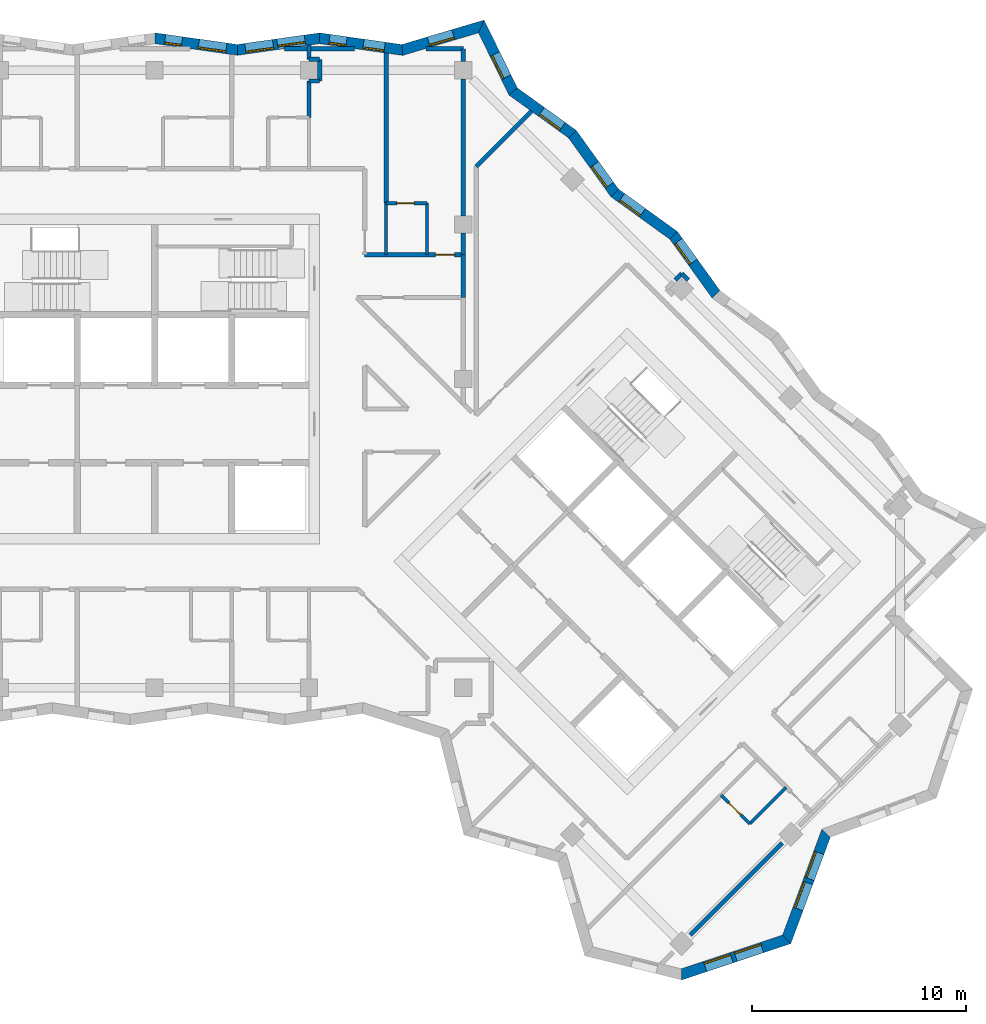
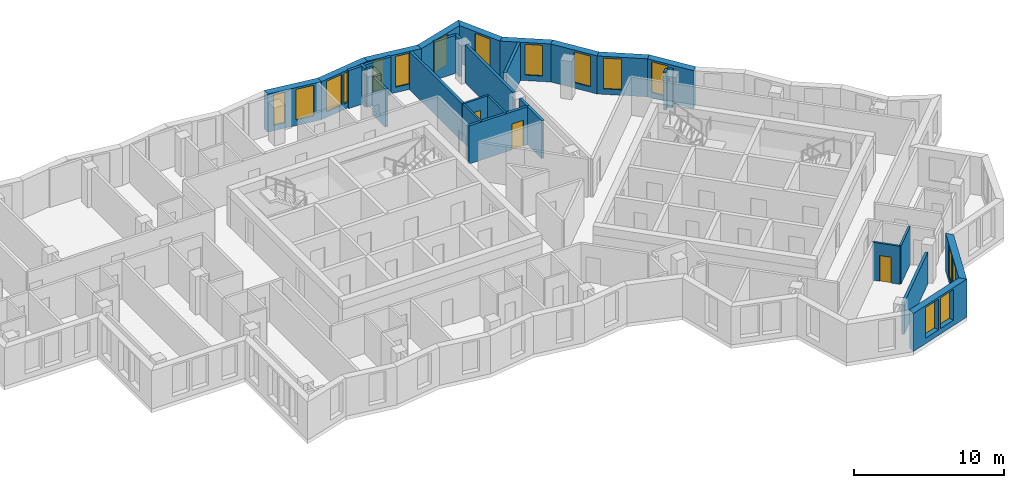
# One storey, part 8 of 13: 33 walls, 16 windows, 3 doors, 19 openings.
"""IFC4 building model written with IfcOpenShell, lengths in metres."""

from ifc_helpers import new_model, si_unit, direction, frame, frame_2d, origin, place, context, subcontext, project, spatial, polyline, rectangle, outline, extrude, material, layer, layer_set, type_object, element, fill, save


model = new_model("IFC4")

# Units and contexts
model_context = context("Model", 3, precision=1e-05, world=origin(), true_north=direction((0.0, 1.0)))
body_context = subcontext(model_context, "Body", "Model", "MODEL_VIEW")
ifc_project = project(units=[si_unit("LENGTHUNIT", "METRE"), si_unit("AREAUNIT", "SQUARE_METRE"), si_unit("VOLUMEUNIT", "CUBIC_METRE"), si_unit("PLANEANGLEUNIT", "RADIAN"), si_unit("MASSUNIT", "GRAM", prefix="KILO")], contexts=[model_context])

# Site, building, storey
site_placement = place(None, origin())
site = spatial("IfcSite", under=ifc_project, at=site_placement, CompositionType="ELEMENT")
building_placement = place(site_placement, origin())
building = spatial("IfcBuilding", under=site, at=building_placement, Name="Windrow Commons", CompositionType="ELEMENT")
storey_placement = place(building_placement, frame((0.0, 0.0, 216.8)))
storey = spatial("IfcBuildingStorey", under=building, at=storey_placement, Name="L59", CompositionType="ELEMENT", Elevation=216.8)

# Wall, openings, windows
ifc_material_1 = material(Name="Brick masonry, red clay brick", Category="masonry")
ifc_layer_1 = layer(ifc_material_1, 0.5)
ifc_layer_set_1 = layer_set([ifc_layer_1], Name="Brick facade wall 500")
wall_type_1 = type_object("IfcWallType", Name="Brick facade wall 500", PredefinedType="SOLIDWALL", material=ifc_layer_set_1)
wall_1_placement = place(storey_placement, frame((89.3722, 29.8337, 0.0), z_axis=(0.0, 0.0, 1.0), x_axis=(0.9486832981, 0.316227766, 0.0)))
wall_1 = element("IfcWall", 1, at=wall_1_placement, inside=storey, type_object=wall_type_1, Name="Brick facade wall L59 1", PredefinedType="SOLIDWALL", context=body_context, shape_type="SweptSolid", body=[
    extrude(outline(polyline([(-0.0726, -0.25), (5.2939, -0.25), (5.0544, 0.25), (0.0726, 0.25), (-0.0726, -0.25)])), origin(), (0.0, 0.0, 1.0), 3.1),
])
opening_1_placement = place(wall_1_placement, frame((1.1592, 0.0, 0.45)))
opening_1 = element("IfcOpeningElement", 2, at=opening_1_placement, cuts=wall_1, Name="Opening W1Q", PredefinedType="OPENING", context=body_context, shape_type="SweptSolid", body=[
    extrude(rectangle(XDim=1.3, YDim=2.5, at=frame_2d((0.65, 1.25))), frame((0.0, 0.26, 0.0), z_axis=(0.0, -1.0, 0.0), x_axis=(1.0, 0.0, 0.0)), (0.0, 0.0, 1.0), 0.52),
])
opening_2_placement = place(wall_1_placement, frame((2.6592, 0.0, 0.45)))
opening_2 = element("IfcOpeningElement", 3, at=opening_2_placement, cuts=wall_1, Name="Opening W1Q", PredefinedType="OPENING", context=body_context, shape_type="SweptSolid", body=[
    extrude(rectangle(XDim=1.3, YDim=2.5, at=frame_2d((0.65, 1.25))), frame((0.0, 0.26, 0.0), z_axis=(0.0, -1.0, 0.0), x_axis=(1.0, 0.0, 0.0)), (0.0, 0.0, 1.0), 0.52),
])
ifc_material_2 = material(Name="Clear float glass in anodised aluminium frame", Category="aluminium")
window_type_1 = type_object("IfcWindowType", Name="Window W1Q pair 1300x2500", PartitioningType="SINGLE_PANEL", PredefinedType="WINDOW", material=ifc_material_2)
window_1_placement = place(opening_1_placement, origin())
window_1 = element("IfcWindow", 4, at=window_1_placement, inside=storey, type_object=window_type_1, Name="Window L59 1.1A", OverallHeight=2.5, OverallWidth=1.3, PartitioningType="SINGLE_PANEL", PredefinedType="WINDOW", context=body_context, shape_type="SweptSolid", body=[
    extrude(rectangle(XDim=1.3, YDim=2.5, at=frame_2d((0.65, 1.25))), frame((0.0, 0.18, 0.0), z_axis=(0.0, -1.0, 0.0), x_axis=(1.0, 0.0, 0.0)), (0.0, 0.0, 1.0), 0.06),
])
fill(opening_1, window_1)
window_2_placement = place(opening_2_placement, origin())
window_2 = element("IfcWindow", 5, at=window_2_placement, inside=storey, type_object=window_type_1, Name="Window L59 1.1B", OverallHeight=2.5, OverallWidth=1.3, PartitioningType="SINGLE_PANEL", PredefinedType="WINDOW", context=body_context, shape_type="SweptSolid", body=[
    extrude(rectangle(XDim=1.3, YDim=2.5, at=frame_2d((0.65, 1.25))), frame((0.0, 0.18, 0.0), z_axis=(0.0, -1.0, 0.0), x_axis=(1.0, 0.0, 0.0)), (0.0, 0.0, 1.0), 0.06),
])
fill(opening_2, window_2)

wall_2_placement = place(storey_placement, frame((94.2808, 31.4699, 0.0), z_axis=(0.0, 0.0, 1.0), x_axis=(0.3481903374, 0.9374238577, 0.0)))
wall_2 = element("IfcWall", 6, at=wall_2_placement, inside=storey, type_object=wall_type_1, Name="Brick facade wall L59 2", PredefinedType="SOLIDWALL", context=body_context, shape_type="SweptSolid", body=[
    extrude(outline(polyline([(-0.1197, -0.25), (5.1604, -0.25), (5.3896, 0.25), (0.1197, 0.25), (-0.1197, -0.25)])), origin(), (0.0, 0.0, 1.0), 3.1),
])
opening_3_placement = place(wall_2_placement, frame((1.5123, 0.0, 0.45)))
opening_3 = element("IfcOpeningElement", 7, at=opening_3_placement, cuts=wall_2, Name="Opening W1Q", PredefinedType="OPENING", context=body_context, shape_type="SweptSolid", body=[
    extrude(rectangle(XDim=1.3, YDim=2.5, at=frame_2d((0.65, 1.25))), frame((0.0, 0.26, 0.0), z_axis=(0.0, -1.0, 0.0), x_axis=(1.0, 0.0, 0.0)), (0.0, 0.0, 1.0), 0.52),
])
opening_4_placement = place(wall_2_placement, frame((3.0123, 0.0, 0.45)))
opening_4 = element("IfcOpeningElement", 8, at=opening_4_placement, cuts=wall_2, Name="Opening W1Q", PredefinedType="OPENING", context=body_context, shape_type="SweptSolid", body=[
    extrude(rectangle(XDim=1.3, YDim=2.5, at=frame_2d((0.65, 1.25))), frame((0.0, 0.26, 0.0), z_axis=(0.0, -1.0, 0.0), x_axis=(1.0, 0.0, 0.0)), (0.0, 0.0, 1.0), 0.52),
])
window_3_placement = place(opening_3_placement, origin())
window_3 = element("IfcWindow", 9, at=window_3_placement, inside=storey, type_object=window_type_1, Name="Window L59 2.1A", OverallHeight=2.5, OverallWidth=1.3, PartitioningType="SINGLE_PANEL", PredefinedType="WINDOW", context=body_context, shape_type="SweptSolid", body=[
    extrude(rectangle(XDim=1.3, YDim=2.5, at=frame_2d((0.65, 1.25))), frame((0.0, 0.18, 0.0), z_axis=(0.0, -1.0, 0.0), x_axis=(1.0, 0.0, 0.0)), (0.0, 0.0, 1.0), 0.06),
])
fill(opening_3, window_3)
window_4_placement = place(opening_4_placement, origin())
window_4 = element("IfcWindow", 10, at=window_4_placement, inside=storey, type_object=window_type_1, Name="Window L59 2.1B", OverallHeight=2.5, OverallWidth=1.3, PartitioningType="SINGLE_PANEL", PredefinedType="WINDOW", context=body_context, shape_type="SweptSolid", body=[
    extrude(rectangle(XDim=1.3, YDim=2.5, at=frame_2d((0.65, 1.25))), frame((0.0, 0.18, 0.0), z_axis=(0.0, -1.0, 0.0), x_axis=(1.0, 0.0, 0.0)), (0.0, 0.0, 1.0), 0.06),
])
fill(opening_4, window_4)

# Wall, opening, window
wall_3_placement = place(storey_placement, frame((90.9816, 61.5573, 0.0), z_axis=(0.0, 0.0, 1.0), x_axis=(-0.5845992306, 0.8113222169, 0.0)))
wall_3 = element("IfcWall", 11, at=wall_3_placement, inside=storey, type_object=wall_type_1, Name="Brick facade wall L59 12", PredefinedType="SOLIDWALL", context=body_context, shape_type="SweptSolid", body=[
    extrude(outline(polyline([(0.0406, -0.25), (3.4213, -0.25), (3.3401, 0.25), (-0.0406, 0.25), (0.0406, -0.25)])), origin(), (0.0, 0.0, 1.0), 3.1),
])
opening_5_placement = place(wall_3_placement, frame((1.8362, 0.0, 0.45)))
opening_5 = element("IfcOpeningElement", 12, at=opening_5_placement, cuts=wall_3, Name="Opening W7E", PredefinedType="OPENING", context=body_context, shape_type="SweptSolid", body=[
    extrude(rectangle(XDim=1.2, YDim=2.5, at=frame_2d((0.6, 1.25))), frame((0.0, 0.26, 0.0), z_axis=(0.0, -1.0, 0.0), x_axis=(1.0, 0.0, 0.0)), (0.0, 0.0, 1.0), 0.52),
])
ifc_material_3 = material(Name="Clear float glass in anodised aluminium frame", Category="aluminium")
window_type_2 = type_object("IfcWindowType", Name="Window W7 notch 1200x2500", PartitioningType="SINGLE_PANEL", PredefinedType="WINDOW", material=ifc_material_3)
window_5_placement = place(opening_5_placement, origin())
window_5 = element("IfcWindow", 13, at=window_5_placement, inside=storey, type_object=window_type_2, Name="Window L59 12.1", OverallHeight=2.5, OverallWidth=1.2, PartitioningType="SINGLE_PANEL", PredefinedType="WINDOW", context=body_context, shape_type="SweptSolid", body=[
    extrude(rectangle(XDim=1.2, YDim=2.5, at=frame_2d((0.6, 1.25))), frame((0.0, 0.18, 0.0), z_axis=(0.0, -1.0, 0.0), x_axis=(1.0, 0.0, 0.0)), (0.0, 0.0, 1.0), 0.06),
])
fill(opening_5, window_5)

wall_4_placement = place(storey_placement, frame((89.0052, 64.3002, 0.0), z_axis=(0.0, 0.0, 1.0), x_axis=(-0.8113261375, 0.5845937894, 0.0)))
wall_4 = element("IfcWall", 14, at=wall_4_placement, inside=storey, type_object=wall_type_1, Name="Brick facade wall L59 13", PredefinedType="SOLIDWALL", context=body_context, shape_type="SweptSolid", body=[
    extrude(outline(polyline([(-0.0406, -0.25), (3.3401, -0.25), (3.4213, 0.25), (0.0406, 0.25), (-0.0406, -0.25)])), origin(), (0.0, 0.0, 1.0), 3.1),
])
opening_6_placement = place(wall_4_placement, frame((1.7897, 0.0, 0.45)))
opening_6 = element("IfcOpeningElement", 15, at=opening_6_placement, cuts=wall_4, Name="Opening W7E", PredefinedType="OPENING", context=body_context, shape_type="SweptSolid", body=[
    extrude(rectangle(XDim=1.2, YDim=2.5, at=frame_2d((0.6, 1.25))), frame((0.0, 0.26, 0.0), z_axis=(0.0, -1.0, 0.0), x_axis=(1.0, 0.0, 0.0)), (0.0, 0.0, 1.0), 0.52),
])
window_6_placement = place(opening_6_placement, origin())
window_6 = element("IfcWindow", 16, at=window_6_placement, inside=storey, type_object=window_type_2, Name="Window L59 13.1", OverallHeight=2.5, OverallWidth=1.2, PartitioningType="SINGLE_PANEL", PredefinedType="WINDOW", context=body_context, shape_type="SweptSolid", body=[
    extrude(rectangle(XDim=1.2, YDim=2.5, at=frame_2d((0.6, 1.25))), frame((0.0, 0.18, 0.0), z_axis=(0.0, -1.0, 0.0), x_axis=(1.0, 0.0, 0.0)), (0.0, 0.0, 1.0), 0.06),
])
fill(opening_6, window_6)

wall_5_placement = place(storey_placement, frame((86.2624, 66.2765, 0.0), z_axis=(0.0, 0.0, 1.0), x_axis=(-0.5845992306, 0.8113222169, 0.0)))
wall_5 = element("IfcWall", 17, at=wall_5_placement, inside=storey, type_object=wall_type_1, Name="Brick facade wall L59 14", PredefinedType="SOLIDWALL", context=body_context, shape_type="SweptSolid", body=[
    extrude(outline(polyline([(0.0406, -0.25), (3.4213, -0.25), (3.3401, 0.25), (-0.0406, 0.25), (0.0406, -0.25)])), origin(), (0.0, 0.0, 1.0), 3.1),
])
opening_7_placement = place(wall_5_placement, frame((0.4325, 0.0, 0.45)))
opening_7 = element("IfcOpeningElement", 18, at=opening_7_placement, cuts=wall_5, Name="Opening W7E", PredefinedType="OPENING", context=body_context, shape_type="SweptSolid", body=[
    extrude(rectangle(XDim=1.2, YDim=2.5, at=frame_2d((0.6, 1.25))), frame((0.0, 0.26, 0.0), z_axis=(0.0, -1.0, 0.0), x_axis=(1.0, 0.0, 0.0)), (0.0, 0.0, 1.0), 0.52),
])
window_7_placement = place(opening_7_placement, origin())
window_7 = element("IfcWindow", 19, at=window_7_placement, inside=storey, type_object=window_type_2, Name="Window L59 14.1", OverallHeight=2.5, OverallWidth=1.2, PartitioningType="SINGLE_PANEL", PredefinedType="WINDOW", context=body_context, shape_type="SweptSolid", body=[
    extrude(rectangle(XDim=1.2, YDim=2.5, at=frame_2d((0.6, 1.25))), frame((0.0, 0.18, 0.0), z_axis=(0.0, -1.0, 0.0), x_axis=(1.0, 0.0, 0.0)), (0.0, 0.0, 1.0), 0.06),
])
fill(opening_7, window_7)

wall_6_placement = place(storey_placement, frame((84.286, 69.0194, 0.0), z_axis=(0.0, 0.0, 1.0), x_axis=(-0.8113258148, 0.5845942373, 0.0)))
wall_6 = element("IfcWall", 20, at=wall_6_placement, inside=storey, type_object=wall_type_1, Name="Brick facade wall L59 15", PredefinedType="SOLIDWALL", context=body_context, shape_type="SweptSolid", body=[
    extrude(outline(polyline([(-0.0406, -0.25), (3.3401, -0.25), (3.4653, 0.25), (0.0406, 0.25), (-0.0406, -0.25)])), origin(), (0.0, 0.0, 1.0), 3.1),
])
opening_8_placement = place(wall_6_placement, frame((0.5861, 0.0, 0.45)))
opening_8 = element("IfcOpeningElement", 21, at=opening_8_placement, cuts=wall_6, Name="Opening W7E", PredefinedType="OPENING", context=body_context, shape_type="SweptSolid", body=[
    extrude(rectangle(XDim=1.2, YDim=2.5, at=frame_2d((0.6, 1.25))), frame((0.0, 0.26, 0.0), z_axis=(0.0, -1.0, 0.0), x_axis=(1.0, 0.0, 0.0)), (0.0, 0.0, 1.0), 0.52),
])
window_8_placement = place(opening_8_placement, origin())
window_8 = element("IfcWindow", 22, at=window_8_placement, inside=storey, type_object=window_type_2, Name="Window L59 15.1", OverallHeight=2.5, OverallWidth=1.2, PartitioningType="SINGLE_PANEL", PredefinedType="WINDOW", context=body_context, shape_type="SweptSolid", body=[
    extrude(rectangle(XDim=1.2, YDim=2.5, at=frame_2d((0.6, 1.25))), frame((0.0, 0.18, 0.0), z_axis=(0.0, -1.0, 0.0), x_axis=(1.0, 0.0, 0.0)), (0.0, 0.0, 1.0), 0.06),
])
fill(opening_8, window_8)

wall_7_placement = place(storey_placement, frame((81.5253, 71.0086, 0.0), z_axis=(0.0, 0.0, 1.0), x_axis=(-0.4400711052, 0.8979629293, 0.0)))
wall_7 = element("IfcWall", 23, at=wall_7_placement, inside=storey, type_object=wall_type_1, Name="Brick facade wall L59 16", PredefinedType="SOLIDWALL", context=body_context, shape_type="SweptSolid", body=[
    extrude(outline(polyline([(0.0626, -0.25), (3.5896, -0.25), (3.1666, 0.25), (-0.0626, 0.25), (0.0626, -0.25)])), origin(), (0.0, 0.0, 1.0), 3.1),
])
opening_9_placement = place(wall_7_placement, frame((0.7394, 0.0, 0.45)))
opening_9 = element("IfcOpeningElement", 24, at=opening_9_placement, cuts=wall_7, Name="Opening W7E", PredefinedType="OPENING", context=body_context, shape_type="SweptSolid", body=[
    extrude(rectangle(XDim=1.2, YDim=2.5, at=frame_2d((0.6, 1.25))), frame((0.0, 0.26, 0.0), z_axis=(0.0, -1.0, 0.0), x_axis=(1.0, 0.0, 0.0)), (0.0, 0.0, 1.0), 0.52),
])
window_9_placement = place(opening_9_placement, origin())
window_9 = element("IfcWindow", 25, at=window_9_placement, inside=storey, type_object=window_type_2, Name="Window L59 16.1", OverallHeight=2.5, OverallWidth=1.2, PartitioningType="SINGLE_PANEL", PredefinedType="WINDOW", context=body_context, shape_type="SweptSolid", body=[
    extrude(rectangle(XDim=1.2, YDim=2.5, at=frame_2d((0.6, 1.25))), frame((0.0, 0.18, 0.0), z_axis=(0.0, -1.0, 0.0), x_axis=(1.0, 0.0, 0.0)), (0.0, 0.0, 1.0), 0.06),
])
fill(opening_9, window_9)

wall_8_placement = place(storey_placement, frame((80.0387, 74.042, 0.0), z_axis=(0.0, 0.0, 1.0), x_axis=(-0.9584416684, -0.2852885702, 0.0)))
wall_8 = element("IfcWall", 26, at=wall_8_placement, inside=storey, type_object=wall_type_1, Name="Brick facade wall L59 17", PredefinedType="SOLIDWALL", context=body_context, shape_type="SweptSolid", body=[
    extrude(outline(polyline([(-0.2115, -0.25), (3.7914, -0.25), (3.9005, 0.25), (0.2115, 0.25), (-0.2115, -0.25)])), origin(), (0.0, 0.0, 1.0), 3.1),
])
opening_10_placement = place(wall_8_placement, frame((1.3605, 0.0, 0.45)))
opening_10 = element("IfcOpeningElement", 27, at=opening_10_placement, cuts=wall_8, Name="Opening W7E", PredefinedType="OPENING", context=body_context, shape_type="SweptSolid", body=[
    extrude(rectangle(XDim=1.2, YDim=2.5, at=frame_2d((0.6, 1.25))), frame((0.0, 0.26, 0.0), z_axis=(0.0, -1.0, 0.0), x_axis=(1.0, 0.0, 0.0)), (0.0, 0.0, 1.0), 0.52),
])
window_10_placement = place(opening_10_placement, origin())
window_10 = element("IfcWindow", 28, at=window_10_placement, inside=storey, type_object=window_type_2, Name="Window L59 17.1", OverallHeight=2.5, OverallWidth=1.2, PartitioningType="SINGLE_PANEL", PredefinedType="WINDOW", context=body_context, shape_type="SweptSolid", body=[
    extrude(rectangle(XDim=1.2, YDim=2.5, at=frame_2d((0.6, 1.25))), frame((0.0, 0.18, 0.0), z_axis=(0.0, -1.0, 0.0), x_axis=(1.0, 0.0, 0.0)), (0.0, 0.0, 1.0), 0.06),
])
fill(opening_10, window_10)

# Wall, openings, windows
wall_9_placement = place(storey_placement, frame((76.3526, 72.9448, 0.0), z_axis=(0.0, 0.0, 1.0), x_axis=(-0.9901676214, 0.139885959, 0.0)))
wall_9 = element("IfcWall", 29, at=wall_9_placement, inside=storey, type_object=wall_type_1, Name="Brick facade wall L59 18", PredefinedType="SOLIDWALL", context=body_context, shape_type="SweptSolid", body=[
    extrude(outline(polyline([(0.0545, -0.25), (3.9292, -0.25), (3.8586, 0.25), (-0.0545, 0.25), (0.0545, -0.25)])), origin(), (0.0, 0.0, 1.0), 3.1),
])
opening_11_placement = place(wall_9_placement, frame((0.832, 0.0, 0.45)))
opening_11 = element("IfcOpeningElement", 30, at=opening_11_placement, cuts=wall_9, Name="Opening W1S", PredefinedType="OPENING", context=body_context, shape_type="SweptSolid", body=[
    extrude(rectangle(XDim=1.0, YDim=2.5, at=frame_2d((0.5, 1.25))), frame((0.0, 0.26, 0.0), z_axis=(0.0, -1.0, 0.0), x_axis=(1.0, 0.0, 0.0)), (0.0, 0.0, 1.0), 0.52),
])
opening_12_placement = place(wall_9_placement, frame((2.629, 0.0, 0.45)))
opening_12 = element("IfcOpeningElement", 31, at=opening_12_placement, cuts=wall_9, Name="Opening W1N", PredefinedType="OPENING", context=body_context, shape_type="SweptSolid", body=[
    extrude(rectangle(XDim=0.8, YDim=2.5, at=frame_2d((0.4, 1.25))), frame((0.0, 0.26, 0.0), z_axis=(0.0, -1.0, 0.0), x_axis=(1.0, 0.0, 0.0)), (0.0, 0.0, 1.0), 0.52),
])
ifc_material_4 = material(Name="Clear float glass in anodised aluminium frame", Category="aluminium")
window_type_3 = type_object("IfcWindowType", Name="Window W1N slit 800x2500", PartitioningType="SINGLE_PANEL", PredefinedType="WINDOW", material=ifc_material_4)
window_11_placement = place(opening_12_placement, origin())
window_11 = element("IfcWindow", 32, at=window_11_placement, inside=storey, type_object=window_type_3, Name="Window L59 18.1B", OverallHeight=2.5, OverallWidth=0.8, PartitioningType="SINGLE_PANEL", PredefinedType="WINDOW", context=body_context, shape_type="SweptSolid", body=[
    extrude(rectangle(XDim=0.8, YDim=2.5, at=frame_2d((0.4, 1.25))), frame((0.0, 0.18, 0.0), z_axis=(0.0, -1.0, 0.0), x_axis=(1.0, 0.0, 0.0)), (0.0, 0.0, 1.0), 0.06),
])
fill(opening_12, window_11)
ifc_material_5 = material(Name="Clear float glass in anodised aluminium frame", Category="aluminium")
window_type_4 = type_object("IfcWindowType", Name="Window W1S slit 1000x2500", PartitioningType="SINGLE_PANEL", PredefinedType="WINDOW", material=ifc_material_5)
window_12_placement = place(opening_11_placement, origin())
window_12 = element("IfcWindow", 33, at=window_12_placement, inside=storey, type_object=window_type_4, Name="Window L59 18.1A", OverallHeight=2.5, OverallWidth=1.0, PartitioningType="SINGLE_PANEL", PredefinedType="WINDOW", context=body_context, shape_type="SweptSolid", body=[
    extrude(rectangle(XDim=1.0, YDim=2.5, at=frame_2d((0.5, 1.25))), frame((0.0, 0.18, 0.0), z_axis=(0.0, -1.0, 0.0), x_axis=(1.0, 0.0, 0.0)), (0.0, 0.0, 1.0), 0.06),
])
fill(opening_11, window_12)

wall_10_placement = place(storey_placement, frame((72.497, 73.4895, 0.0), z_axis=(0.0, 0.0, 1.0), x_axis=(-0.9901681853, -0.1398819675, 0.0)))
wall_10 = element("IfcWall", 34, at=wall_10_placement, inside=storey, type_object=wall_type_1, Name="Brick facade wall L59 19", PredefinedType="SOLIDWALL", context=body_context, shape_type="SweptSolid", body=[
    extrude(outline(polyline([(-0.0353, -0.25), (3.8394, -0.25), (3.91, 0.25), (0.0353, 0.25), (-0.0353, -0.25)])), origin(), (0.0, 0.0, 1.0), 3.1),
])
opening_13_placement = place(wall_10_placement, frame((0.6883, 0.0, 0.45)))
opening_13 = element("IfcOpeningElement", 35, at=opening_13_placement, cuts=wall_10, Name="Opening W1Q", PredefinedType="OPENING", context=body_context, shape_type="SweptSolid", body=[
    extrude(rectangle(XDim=1.3, YDim=2.5, at=frame_2d((0.65, 1.25))), frame((0.0, 0.26, 0.0), z_axis=(0.0, -1.0, 0.0), x_axis=(1.0, 0.0, 0.0)), (0.0, 0.0, 1.0), 0.52),
])
opening_14_placement = place(wall_10_placement, frame((2.1883, 0.0, 0.45)))
opening_14 = element("IfcOpeningElement", 36, at=opening_14_placement, cuts=wall_10, Name="Opening W1Q", PredefinedType="OPENING", context=body_context, shape_type="SweptSolid", body=[
    extrude(rectangle(XDim=1.3, YDim=2.5, at=frame_2d((0.65, 1.25))), frame((0.0, 0.26, 0.0), z_axis=(0.0, -1.0, 0.0), x_axis=(1.0, 0.0, 0.0)), (0.0, 0.0, 1.0), 0.52),
])
window_13_placement = place(opening_13_placement, origin())
window_13 = element("IfcWindow", 37, at=window_13_placement, inside=storey, type_object=window_type_1, Name="Window L59 19.1A", OverallHeight=2.5, OverallWidth=1.3, PartitioningType="SINGLE_PANEL", PredefinedType="WINDOW", context=body_context, shape_type="SweptSolid", body=[
    extrude(rectangle(XDim=1.3, YDim=2.5, at=frame_2d((0.65, 1.25))), frame((0.0, 0.12, 0.0), z_axis=(0.0, -1.0, 0.0), x_axis=(1.0, 0.0, 0.0)), (0.0, 0.0, 1.0), 0.06),
])
fill(opening_13, window_13)
window_14_placement = place(opening_14_placement, origin())
window_14 = element("IfcWindow", 38, at=window_14_placement, inside=storey, type_object=window_type_1, Name="Window L59 19.1B", OverallHeight=2.5, OverallWidth=1.3, PartitioningType="SINGLE_PANEL", PredefinedType="WINDOW", context=body_context, shape_type="SweptSolid", body=[
    extrude(rectangle(XDim=1.3, YDim=2.5, at=frame_2d((0.65, 1.25))), frame((0.0, 0.18, 0.0), z_axis=(0.0, -1.0, 0.0), x_axis=(1.0, 0.0, 0.0)), (0.0, 0.0, 1.0), 0.06),
])
fill(opening_14, window_14)

wall_11_placement = place(storey_placement, frame((68.6604, 72.9475, 0.0), z_axis=(0.0, 0.0, 1.0), x_axis=(-0.9901681853, 0.1398819675, 0.0)))
wall_11 = element("IfcWall", 39, at=wall_11_placement, inside=storey, type_object=wall_type_1, Name="Brick facade wall L59 20", PredefinedType="SOLIDWALL", context=body_context, shape_type="SweptSolid", body=[
    extrude(outline(polyline([(0.0353, -0.25), (3.91, -0.25), (3.8394, 0.25), (-0.0353, 0.25), (0.0353, -0.25)])), origin(), (0.0, 0.0, 1.0), 3.1),
])
opening_15_placement = place(wall_11_placement, frame((0.5197, 0.0, 0.45)))
opening_15 = element("IfcOpeningElement", 40, at=opening_15_placement, cuts=wall_11, Name="Opening W1Q", PredefinedType="OPENING", context=body_context, shape_type="SweptSolid", body=[
    extrude(rectangle(XDim=1.3, YDim=2.5, at=frame_2d((0.65, 1.25))), frame((0.0, 0.26, 0.0), z_axis=(0.0, -1.0, 0.0), x_axis=(1.0, 0.0, 0.0)), (0.0, 0.0, 1.0), 0.52),
])
opening_16_placement = place(wall_11_placement, frame((2.6093, 0.0, 0.45)))
opening_16 = element("IfcOpeningElement", 41, at=opening_16_placement, cuts=wall_11, Name="Opening W1N", PredefinedType="OPENING", context=body_context, shape_type="SweptSolid", body=[
    extrude(rectangle(XDim=0.8, YDim=2.5, at=frame_2d((0.4, 1.25))), frame((0.0, 0.26, 0.0), z_axis=(0.0, -1.0, 0.0), x_axis=(1.0, 0.0, 0.0)), (0.0, 0.0, 1.0), 0.52),
])
window_15_placement = place(opening_16_placement, origin())
window_15 = element("IfcWindow", 42, at=window_15_placement, inside=storey, type_object=window_type_3, Name="Window L59 20.1BA", OverallHeight=2.5, OverallWidth=0.8, PartitioningType="SINGLE_PANEL", PredefinedType="WINDOW", context=body_context, shape_type="SweptSolid", body=[
    extrude(rectangle(XDim=0.8, YDim=2.5, at=frame_2d((0.4, 1.25))), frame((0.0, 0.18, 0.0), z_axis=(0.0, -1.0, 0.0), x_axis=(1.0, 0.0, 0.0)), (0.0, 0.0, 1.0), 0.06),
])
fill(opening_16, window_15)
window_16_placement = place(opening_15_placement, origin())
window_16 = element("IfcWindow", 43, at=window_16_placement, inside=storey, type_object=window_type_1, Name="Window L59 20.1A", OverallHeight=2.5, OverallWidth=1.3, PartitioningType="SINGLE_PANEL", PredefinedType="WINDOW", context=body_context, shape_type="SweptSolid", body=[
    extrude(rectangle(XDim=1.3, YDim=2.5, at=frame_2d((0.65, 1.25))), frame((0.0, 0.18, 0.0), z_axis=(0.0, -1.0, 0.0), x_axis=(1.0, 0.0, 0.0)), (0.0, 0.0, 1.0), 0.06),
])
fill(opening_15, window_16)

# Wall, opening, door
ifc_material_6 = material(Name="Blockwork partition", Category="masonry")
ifc_layer_2 = layer(ifc_material_6, 0.2)
ifc_layer_set_2 = layer_set([ifc_layer_2], Name="IW-CORRIDOR-200")
wall_type_2 = type_object("IfcWallType", Name="IW-CORRIDOR-200", PredefinedType="PARTITIONING", material=ifc_layer_set_2)
wall_12_placement = place(storey_placement, frame((74.602, 63.4, 0.0), z_axis=(0.0, 0.0, 1.0), x_axis=(1.0, 0.0, 0.0)))
wall_12 = element("IfcWall", 44, at=wall_12_placement, inside=storey, type_object=wall_type_2, Name="W-L59-W038", PredefinedType="PARTITIONING", context=body_context, shape_type="SweptSolid", body=[
    extrude(rectangle(XDim=4.598, YDim=0.2, at=frame_2d((2.299, 0.0))), origin(), (0.0, 0.0, 1.0), 3.1),
])
opening_17_placement = place(wall_12_placement, frame((3.298, 0.0, 0.0)))
opening_17 = element("IfcOpeningElement", 45, at=opening_17_placement, cuts=wall_12, Name="Opening D109S", PredefinedType="OPENING", context=body_context, shape_type="SweptSolid", body=[
    extrude(rectangle(XDim=0.9, YDim=2.1, at=frame_2d((0.45, 1.05))), frame((0.0, 0.11, 0.0), z_axis=(0.0, -1.0, 0.0), x_axis=(1.0, 0.0, 0.0)), (0.0, 0.0, 1.0), 0.22),
])
ifc_material_7 = material(Name="Timber door leaf", Category="wood")
door_type_1 = type_object("IfcDoorType", Name="DT-BEDROOM-900", OperationType="SINGLE_SWING_LEFT", PredefinedType="DOOR", material=ifc_material_7)
door_1_placement = place(opening_17_placement, origin())
door_1 = element("IfcDoor", 46, at=door_1_placement, inside=storey, type_object=door_type_1, Name="D-L59-D017", OperationType="SINGLE_SWING_LEFT", OverallHeight=2.1, OverallWidth=0.9, PredefinedType="DOOR", context=body_context, shape_type="SweptSolid", body=[
    extrude(rectangle(XDim=0.9, YDim=2.1, at=frame_2d((0.45, 1.05))), frame((0.0, 0.025, 0.0), z_axis=(0.0, -1.0, 0.0), x_axis=(1.0, 0.0, 0.0)), (0.0, 0.0, 1.0), 0.05),
])
fill(opening_17, door_1)

# Walls
wall_13_placement = place(storey_placement, frame((79.2, 61.4, 0.0), z_axis=(0.0, 0.0, 1.0), x_axis=(0.0, 1.0, 0.0)))
element("IfcWall", 47, at=wall_13_placement, inside=storey, type_object=wall_type_2, Name="W-L59-W104", PredefinedType="PARTITIONING", context=body_context, shape_type="SweptSolid", body=[
    extrude(rectangle(XDim=2.0, YDim=0.2, at=frame_2d((1.0, 0.0))), origin(), (0.0, 0.0, 1.0), 3.1),
])
ifc_material_8 = material(Name="Blockwork partition", Category="masonry")
ifc_layer_3 = layer(ifc_material_8, 0.15)
ifc_layer_set_3 = layer_set([ifc_layer_3], Name="IW-ENSUITE-150")
wall_type_3 = type_object("IfcWallType", Name="IW-ENSUITE-150", PredefinedType="PARTITIONING", material=ifc_layer_set_3)
wall_14_placement = place(storey_placement, frame((92.5629, 36.8571, 0.0), z_axis=(0.0, 0.0, 1.0), x_axis=(0.7071067812, 0.7071067812, 0.0)))
element("IfcWall", 48, at=wall_14_placement, inside=storey, type_object=wall_type_3, Name="W-L59-W066", PredefinedType="PARTITIONING", context=body_context, shape_type="SweptSolid", body=[
    extrude(rectangle(XDim=2.4013, YDim=0.15, at=frame_2d((1.2006, 0.0))), origin(), (0.0, 0.0, 1.0), 3.1),
])
for number, where, z_axis, x_axis, name in (
    (49, (75.6, 63.4, 0.0), (0.0, 0.0, 1.0), (0.0, 1.0, 0.0), "W-L59-W087"),
    (50, (77.5, 63.4, 0.0), (0.0, 0.0, 1.0), (0.0, 1.0, 0.0), "W-L59-W088"),
):
    element("IfcWall", number, at=place(storey_placement, frame(where, z_axis=z_axis, x_axis=x_axis)), inside=storey, type_object=wall_type_3, Name=name, PredefinedType="PARTITIONING", context=body_context, shape_type="SweptSolid", body=[
        extrude(rectangle(XDim=2.4, YDim=0.15, at=frame_2d((1.2, 0.0))), origin(), (0.0, 0.0, 1.0), 3.1),
    ])

# Wall, opening, door
wall_15_placement = place(storey_placement, frame((91.2173, 38.1973, 0.0), z_axis=(0.0, 0.0, 1.0), x_axis=(0.7071067812, -0.7071067812, 0.0)))
wall_15 = element("IfcWall", 51, at=wall_15_placement, inside=storey, type_object=wall_type_3, Name="W-L59-W109", PredefinedType="PARTITIONING", context=body_context, shape_type="SweptSolid", body=[
    extrude(rectangle(XDim=1.9007, YDim=0.15, at=frame_2d((0.9504, 0.0))), origin(), (0.0, 0.0, 1.0), 3.1),
])
opening_18_placement = place(wall_15_placement, frame((0.5024, 0.0, 0.0)))
opening_18 = element("IfcOpeningElement", 52, at=opening_18_placement, cuts=wall_15, Name="Opening D208N", PredefinedType="OPENING", context=body_context, shape_type="SweptSolid", body=[
    extrude(rectangle(XDim=0.8, YDim=2.1, at=frame_2d((0.4, 1.05))), frame((0.0, 0.085, 0.0), z_axis=(0.0, -1.0, 0.0), x_axis=(1.0, 0.0, 0.0)), (0.0, 0.0, 1.0), 0.17),
])
ifc_material_9 = material(Name="Timber door leaf", Category="wood")
door_type_2 = type_object("IfcDoorType", Name="DT-ENSUITE-800", OperationType="SINGLE_SWING_LEFT", PredefinedType="DOOR", material=ifc_material_9)
door_2_placement = place(opening_18_placement, origin())
door_2 = element("IfcDoor", 53, at=door_2_placement, inside=storey, type_object=door_type_2, Name="D-L59-D050", OperationType="SINGLE_SWING_RIGHT", OverallHeight=2.1, OverallWidth=0.8, PredefinedType="DOOR", context=body_context, shape_type="SweptSolid", body=[
    extrude(rectangle(XDim=0.8, YDim=2.1, at=frame_2d((0.4, 1.05))), frame((0.0, 0.025, 0.0), z_axis=(0.0, -1.0, 0.0), x_axis=(1.0, 0.0, 0.0)), (0.0, 0.0, 1.0), 0.05),
])
fill(opening_18, door_2)

wall_16_placement = place(storey_placement, frame((75.6, 65.8, 0.0), z_axis=(0.0, 0.0, 1.0), x_axis=(1.0, 0.0, 0.0)))
wall_16 = element("IfcWall", 54, at=wall_16_placement, inside=storey, type_object=wall_type_3, Name="W-L59-W110", PredefinedType="PARTITIONING", context=body_context, shape_type="SweptSolid", body=[
    extrude(rectangle(XDim=1.9, YDim=0.15, at=frame_2d((0.95, 0.0))), origin(), (0.0, 0.0, 1.0), 3.1),
])
opening_19_placement = place(wall_16_placement, frame((0.5021, 0.0, 0.0)))
opening_19 = element("IfcOpeningElement", 55, at=opening_19_placement, cuts=wall_16, Name="Opening D208N", PredefinedType="OPENING", context=body_context, shape_type="SweptSolid", body=[
    extrude(rectangle(XDim=0.8, YDim=2.1, at=frame_2d((0.4, 1.05))), frame((0.0, 0.085, 0.0), z_axis=(0.0, -1.0, 0.0), x_axis=(1.0, 0.0, 0.0)), (0.0, 0.0, 1.0), 0.17),
])
door_3_placement = place(opening_19_placement, origin())
door_3 = element("IfcDoor", 56, at=door_3_placement, inside=storey, type_object=door_type_2, Name="D-L59-D018", OperationType="SINGLE_SWING_RIGHT", OverallHeight=2.1, OverallWidth=0.8, PredefinedType="DOOR", context=body_context, shape_type="SweptSolid", body=[
    extrude(rectangle(XDim=0.8, YDim=2.1, at=frame_2d((0.4, 1.05))), frame((0.0, 0.025, 0.0), z_axis=(0.0, -1.0, 0.0), x_axis=(1.0, 0.0, 0.0)), (0.0, 0.0, 1.0), 0.05),
])
fill(opening_19, door_3)

# Walls
ifc_material_10 = material(Name="Blockwork partition", Category="masonry")
ifc_layer_4 = layer(ifc_material_10, 0.2)
ifc_layer_set_4 = layer_set([ifc_layer_4], Name="IW-PARTY-200")
wall_type_4 = type_object("IfcWallType", Name="IW-PARTY-200", PredefinedType="PARTITIONING", material=ifc_layer_set_4)
wall_17_placement = place(storey_placement, frame((75.6, 65.8, 0.0), z_axis=(0.0, 0.0, 1.0), x_axis=(0.0, 1.0, 0.0)))
element("IfcWall", 57, at=wall_17_placement, inside=storey, type_object=wall_type_4, Name="W-L59-W014", PredefinedType="PARTITIONING", context=body_context, shape_type="SweptSolid", body=[
    extrude(rectangle(XDim=6.9987, YDim=0.2, at=frame_2d((3.4994, 0.0))), origin(), (0.0, 0.0, 1.0), 3.1),
])
wall_18_placement = place(storey_placement, frame((79.2, 65.2, 0.0), z_axis=(0.0, 0.0, 1.0), x_axis=(0.0, 1.0, 0.0)))
element("IfcWall", 58, at=wall_18_placement, inside=storey, type_object=wall_type_4, Name="W-L59-W023", PredefinedType="PARTITIONING", context=body_context, shape_type="SweptSolid", body=[
    extrude(rectangle(XDim=6.4, YDim=0.2, at=frame_2d((3.2, 0.0))), origin(), (0.0, 0.0, 1.0), 3.1),
])
wall_19_placement = place(storey_placement, frame((89.781, 31.671, 0.0), z_axis=(0.0, 0.0, 1.0), x_axis=(0.7071067812, 0.7071067812, 0.0)))
element("IfcWall", 59, at=wall_19_placement, inside=storey, type_object=wall_type_4, Name="W-L59-W025", PredefinedType="PARTITIONING", context=body_context, shape_type="SweptSolid", body=[
    extrude(rectangle(XDim=6.0698, YDim=0.2, at=frame_2d((3.0349, 0.0))), origin(), (0.0, 0.0, 1.0), 2.6),
])
wall_20_placement = place(storey_placement, frame((79.7988, 67.5092, 0.0), z_axis=(0.0, 0.0, 1.0), x_axis=(0.707093066, 0.7071204961, 0.0)))
element("IfcWall", 60, at=wall_20_placement, inside=storey, type_object=wall_type_4, Name="W-L59-W045", PredefinedType="PARTITIONING", context=body_context, shape_type="SweptSolid", body=[
    extrude(rectangle(XDim=3.6456, YDim=0.2, at=frame_2d((1.8228, 0.0))), origin(), (0.0, 0.0, 1.0), 3.1),
])
wall_21_placement = place(storey_placement, frame((70.8691, 73.0, 0.0), z_axis=(0.0, 0.0, 1.0), x_axis=(1.0, 0.0, 0.0)))
element("IfcWall", 61, at=wall_21_placement, inside=storey, type_object=wall_type_4, Name="W-L59-W050", PredefinedType="PARTITIONING", context=body_context, shape_type="SweptSolid", body=[
    extrude(rectangle(XDim=3.2557, YDim=0.2, at=frame_2d((1.6279, 0.0))), origin(), (0.0, 0.0, 1.0), 3.1),
])
wall_22_placement = place(storey_placement, frame((77.4642, 73.0, 0.0), z_axis=(0.0, 0.0, 1.0), x_axis=(1.0, 0.0, 0.0)))
element("IfcWall", 62, at=wall_22_placement, inside=storey, type_object=wall_type_4, Name="W-L59-W127", PredefinedType="PARTITIONING", context=body_context, shape_type="SweptSolid", body=[
    extrude(rectangle(XDim=1.7358, YDim=0.2, at=frame_2d((0.8679, 0.0))), origin(), (0.0, 0.0, 1.0), 3.1),
])
wall_23_placement = place(storey_placement, frame((72.0, 69.8, 0.0), z_axis=(0.0, 0.0, 1.0), x_axis=(0.0, 1.0, 0.0)))
element("IfcWall", 63, at=wall_23_placement, inside=storey, type_object=wall_type_4, Name="W-L59-W128", PredefinedType="PARTITIONING", context=body_context, shape_type="SweptSolid", body=[
    extrude(rectangle(XDim=1.696, YDim=0.2, at=frame_2d((0.848, 0.0))), origin(), (0.0, 0.0, 1.0), 3.1),
])
wall_24_placement = place(storey_placement, frame((72.5, 71.496, 0.0), z_axis=(0.0, 0.0, 1.0), x_axis=(0.0, 1.0, 0.0)))
element("IfcWall", 64, at=wall_24_placement, inside=storey, type_object=wall_type_4, Name="W-L59-W135", PredefinedType="PARTITIONING", context=body_context, shape_type="SweptSolid", body=[
    extrude(rectangle(XDim=1.01, YDim=0.2, at=frame_2d((0.505, 0.0))), origin(), (0.0, 0.0, 1.0), 3.1),
])
wall_25_placement = place(storey_placement, frame((79.2, 63.4, 0.0), z_axis=(0.0, 0.0, 1.0), x_axis=(0.0, 1.0, 0.0)))
element("IfcWall", 65, at=wall_25_placement, inside=storey, type_object=wall_type_4, Name="W-L59-W138", PredefinedType="PARTITIONING", context=body_context, shape_type="SweptSolid", body=[
    extrude(rectangle(XDim=1.0, YDim=0.2, at=frame_2d((0.5, 0.0))), origin(), (0.0, 0.0, 1.0), 3.1),
])
wall_26_placement = place(storey_placement, frame((79.2, 72.4, 0.0), z_axis=(0.0, 0.0, 1.0), x_axis=(0.0, 1.0, 0.0)))
element("IfcWall", 66, at=wall_26_placement, inside=storey, type_object=wall_type_4, Name="W-L59-W157", PredefinedType="PARTITIONING", context=body_context, shape_type="SweptSolid", body=[
    extrude(rectangle(XDim=0.6, YDim=0.2, at=frame_2d((0.3, 0.0))), origin(), (0.0, 0.0, 1.0), 3.1),
])
for number, where, z_axis, x_axis, name in (
    (67, (72.0, 71.5, 0.0), (0.0, 0.0, 1.0), (1.0, 0.0, 0.0), "W-L59-W162"),
    (68, (72.0, 72.51, 0.0), (0.0, 0.0, 1.0), (1.0, 0.0, 0.0), "W-L59-W163"),
):
    element("IfcWall", number, at=place(storey_placement, frame(where, z_axis=z_axis, x_axis=x_axis)), inside=storey, type_object=wall_type_4, Name=name, PredefinedType="PARTITIONING", context=body_context, shape_type="SweptSolid", body=[
        extrude(rectangle(XDim=0.5, YDim=0.2, at=frame_2d((0.25, 0.0))), origin(), (0.0, 0.0, 1.0), 3.1),
    ])
wall_27_placement = place(storey_placement, frame((72.0, 72.506, 0.0), z_axis=(0.0, 0.0, 1.0), x_axis=(0.0, 1.0, 0.0)))
element("IfcWall", 69, at=wall_27_placement, inside=storey, type_object=wall_type_4, Name="W-L59-W166", PredefinedType="PARTITIONING", context=body_context, shape_type="SweptSolid", body=[
    extrude(rectangle(XDim=0.6608, YDim=0.2, at=frame_2d((0.3304, 0.0))), origin(), (0.0, 0.0, 1.0), 3.1),
])
for number, where, z_axis, x_axis, name in (
    (70, (89.3864, 62.5284, 0.0), (0.0, 0.0, 1.0), (0.7071067812, -0.7071067812, 0.0), "W-L59-W173"),
    (71, (89.075, 62.219, 0.0), (0.0, 0.0, 1.0), (0.7071067812, 0.7071067812, 0.0), "W-L59-W174"),
):
    element("IfcWall", number, at=place(storey_placement, frame(where, z_axis=z_axis, x_axis=x_axis)), inside=storey, type_object=wall_type_4, Name=name, PredefinedType="PARTITIONING", context=body_context, shape_type="SweptSolid", body=[
        extrude(rectangle(XDim=0.4384, YDim=0.2, at=frame_2d((0.2192, 0.0))), origin(), (0.0, 0.0, 1.0), 3.1),
    ])

save(model, "model.ifc")
